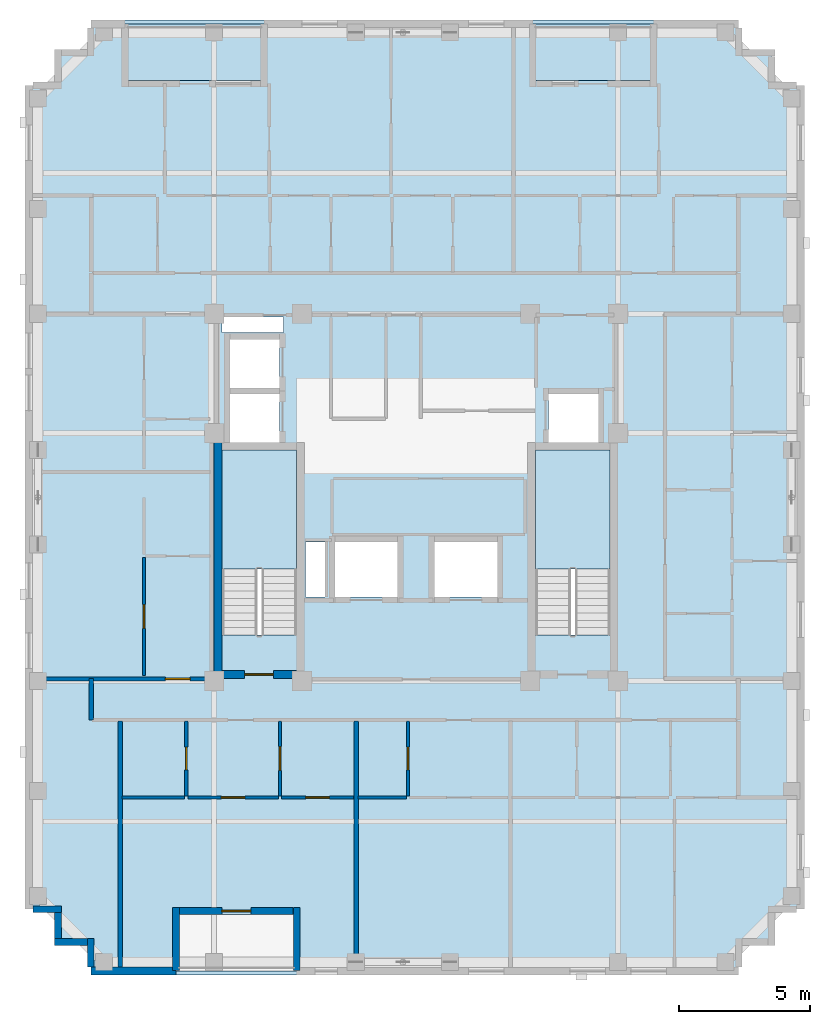
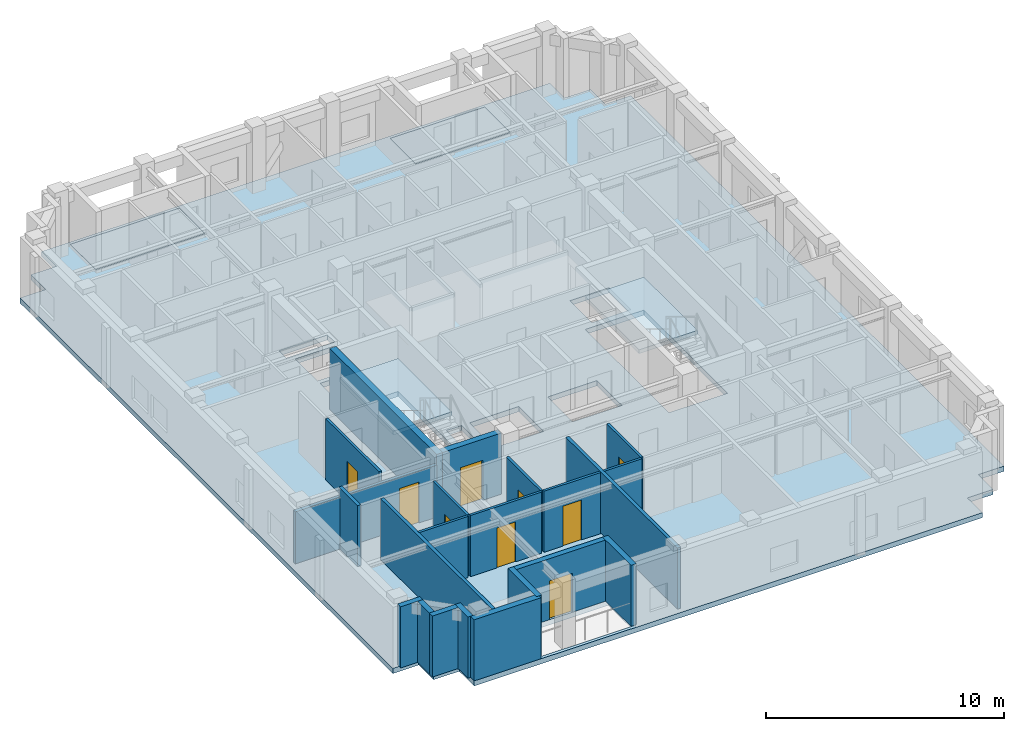
# One storey, part 2 of 11: 22 walls, 9 doors, 5 slabs, 9 openings, 2 elements without a shape of their own.
"""IFC4 building model written with IfcOpenShell, lengths in metres."""

from ifc_helpers import new_model, si_unit, derived_unit, direction, frame, frame_2d, origin, place, context, subcontext, project, spatial, polyline, rectangle, outline, extrude, material, layer, layer_set, type_object, element, fill, aggregate, save


model = new_model("IFC4")

# Units and contexts
model_context = context("Model", 3, precision=1e-05, world=origin(), true_north=direction((0.0, 1.0)))
body_context = subcontext(model_context, "Body", "Model", "MODEL_VIEW")
ifc_project = project(units=[si_unit("LENGTHUNIT", "METRE"), si_unit("AREAUNIT", "SQUARE_METRE"), si_unit("VOLUMEUNIT", "CUBIC_METRE"), si_unit("PLANEANGLEUNIT", "RADIAN"), si_unit("MASSUNIT", "GRAM", prefix="KILO"), derived_unit("THERMALTRANSMITTANCEUNIT", [(si_unit("MASSUNIT", "GRAM", prefix="KILO"), 1), (si_unit("TIMEUNIT", "SECOND"), -3), (si_unit("THERMODYNAMICTEMPERATUREUNIT", "KELVIN"), -1)])], contexts=[model_context])

# Site, building, storey
site_placement = place(None, origin())
site = spatial("IfcSite", under=ifc_project, at=site_placement, CompositionType="ELEMENT")
building_placement = place(site_placement, origin())
building = spatial("IfcBuilding", under=site, at=building_placement, Name="Korrvale Station Residences", CompositionType="ELEMENT")
storey_placement = place(building_placement, frame((0.0, 0.0, 247.89990234375)))
storey = spatial("IfcBuildingStorey", under=building, at=storey_placement, Name="L72", CompositionType="ELEMENT", Elevation=247.89990234375)

# Slabs
ifc_material_1 = material(Name="Concrete C50/60", Category="concrete")
ifc_layer_1 = layer(ifc_material_1, 0.219970703125, Name="Concrete C50/60")
ifc_layer_set_1 = layer_set([ifc_layer_1], Name="Concrete C50/60")
slab_type_1 = type_object("IfcSlabType", Name="SLB-BAL-220", PredefinedType="FLOOR", material=ifc_layer_set_1)
slab_1_placement = place(storey_placement, frame((0.0, 0.0, -0.219970703125)))
element("IfcSlab", 1, at=slab_1_placement, inside=storey, type_object=slab_type_1, Name="L72 Recessed Loggia Balcony Slab BAL-L72-N1", PredefinedType="FLOOR", context=body_context, shape_type="SweptSolid", body=[
    extrude(outline(polyline([(29.949951171875, 37.89990234375), (34.550048828125, 37.89990234375), (34.550048828125, 40.050048828125), (29.949951171875, 40.050048828125), (29.949951171875, 37.89990234375)])), origin(), (0.0, 0.0, 1.0), 0.219970703125),
])
slab_2_placement = place(storey_placement, frame((0.0, 0.0, -0.219970703125)))
element("IfcSlab", 2, at=slab_2_placement, inside=storey, type_object=slab_type_1, Name="L72 Recessed Loggia Balcony Slab BAL-L72-N2", PredefinedType="FLOOR", context=body_context, shape_type="SweptSolid", body=[
    extrude(outline(polyline([(14.39990234375, 37.89990234375), (19.699951171875, 37.89990234375), (19.699951171875, 40.050048828125), (14.39990234375, 40.050048828125), (14.39990234375, 37.89990234375)])), origin(), (0.0, 0.0, 1.0), 0.219970703125),
])
ifc_layer_2 = layer(ifc_material_1, 0.260009765625, Name="Concrete C50/60")
ifc_layer_set_2 = layer_set([ifc_layer_2], Name="Concrete C50/60")
slab_type_2 = type_object("IfcSlabType", Name="SLB-FLR-260", PredefinedType="FLOOR", material=ifc_layer_set_2)
slab_3_placement = place(storey_placement, frame((0.0, 0.0, -0.260009765625)))
element("IfcSlab", 3, at=slab_3_placement, inside=storey, type_object=slab_type_2, Name="L72 Suspended Structural Floor Slab", PredefinedType="FLOOR", context=body_context, shape_type="SweptSolid", body=[
    extrude(outline(polyline([(13.10009765625, 3.800048828125), (37.800048828125, 3.800048828125), (37.800048828125, 5.050048828125), (39.050048828125, 5.050048828125), (39.050048828125, 6.300048828125), (40.300048828125, 6.300048828125), (40.300048828125, 37.699951171875), (39.050048828125, 37.699951171875), (39.050048828125, 38.949951171875), (37.800048828125, 38.949951171875), (37.800048828125, 40.199951171875), (13.10009765625, 40.199951171875), (13.10009765625, 38.949951171875), (11.85009765625, 38.949951171875), (11.85009765625, 37.699951171875), (10.60009765625, 37.699951171875), (10.60009765625, 6.300048828125), (11.85009765625, 6.300048828125), (11.85009765625, 5.050048828125), (13.10009765625, 5.050048828125), (13.10009765625, 3.800048828125)]), holes=[polyline([(20.949951171875, 16.751953125), (20.949951171875, 23.800048828125), (18.10009765625, 23.800048828125), (18.10009765625, 16.751953125), (20.949951171875, 16.751953125)]), polyline([(32.89990234375, 16.751953125), (32.89990234375, 23.800048828125), (30.050048828125, 23.800048828125), (30.050048828125, 16.751953125), (32.89990234375, 16.751953125)]), polyline([(18.39990234375, 24.10009765625), (20.300048828125, 24.10009765625), (20.300048828125, 25.949951171875), (18.39990234375, 25.949951171875), (18.39990234375, 24.10009765625)]), polyline([(18.39990234375, 26.169921875), (20.300048828125, 26.169921875), (20.300048828125, 28.02001953125), (18.39990234375, 28.02001953125), (18.39990234375, 26.169921875)]), polyline([(30.550048828125, 24.10009765625), (32.449951171875, 24.10009765625), (32.449951171875, 25.949951171875), (30.550048828125, 25.949951171875), (30.550048828125, 24.10009765625)]), polyline([(22.39990234375, 18.199951171875), (24.800048828125, 18.199951171875), (24.800048828125, 20.300048828125), (22.39990234375, 20.300048828125), (22.39990234375, 18.199951171875)]), polyline([(26.199951171875, 18.199951171875), (28.60009765625, 18.199951171875), (28.60009765625, 20.300048828125), (26.199951171875, 20.300048828125), (26.199951171875, 18.199951171875)]), polyline([(18.10009765625, 28.280029296875), (20.449951171875, 28.280029296875), (20.449951171875, 28.8798828125), (18.10009765625, 28.8798828125), (18.10009765625, 28.280029296875)]), polyline([(21.280029296875, 18.199951171875), (22.02001953125, 18.199951171875), (22.02001953125, 20.300048828125), (21.280029296875, 20.300048828125), (21.280029296875, 18.199951171875)]), polyline([(16.35009765625, 3.949951171875), (20.949951171875, 3.949951171875), (20.949951171875, 6.10009765625), (16.35009765625, 6.10009765625), (16.35009765625, 3.949951171875)]), polyline([(29.949951171875, 37.89990234375), (34.550048828125, 37.89990234375), (34.550048828125, 40.050048828125), (29.949951171875, 40.050048828125), (29.949951171875, 37.89990234375)]), polyline([(14.39990234375, 37.89990234375), (19.699951171875, 37.89990234375), (19.699951171875, 40.050048828125), (14.39990234375, 40.050048828125), (14.39990234375, 37.89990234375)])]), origin(), (0.0, 0.0, 1.0), 0.260009765625),
])

# Stair, slab
stair_type = type_object("IfcStairType", Name="STR-DL-1350-20R-1700", PredefinedType="HALF_TURN_STAIR", material=ifc_material_1)
stair_1_placement = place(storey_placement, origin())
stair_1 = element("IfcStair", 4, at=stair_1_placement, inside=storey, type_object=stair_type, Name="L72 Exit Stair 1", PredefinedType="HALF_TURN_STAIR")
ifc_layer_3 = layer(ifc_material_1, 0.199951171875, Name="Concrete C50/60")
ifc_layer_set_3 = layer_set([ifc_layer_3], Name="Concrete C50/60")
slab_type_3 = type_object("IfcSlabType", Name="SLB-LND-200", PredefinedType="LANDING", material=ifc_layer_set_3)
slab_4_placement = place(storey_placement, frame((0.0, 0.0, 1.5)))
slab_4 = element("IfcSlab", 5, at=slab_4_placement, type_object=slab_type_3, Name="ST-1 landing 1", PredefinedType="LANDING", context=body_context, shape_type="SweptSolid", body=[
    extrude(outline(polyline([(20.949951171875, 19.27001953125), (20.949951171875, 23.800048828125), (18.10009765625, 23.800048828125), (18.10009765625, 19.27001953125), (20.949951171875, 19.27001953125)])), origin(), (0.0, 0.0, 1.0), 0.2001953125),
])
aggregate(stair_1, [slab_4])

stair_2_placement = place(storey_placement, origin())
stair_2 = element("IfcStair", 6, at=stair_2_placement, inside=storey, type_object=stair_type, Name="L72 Exit Stair 2", PredefinedType="HALF_TURN_STAIR")
slab_5_placement = place(storey_placement, frame((0.0, 0.0, 1.5)))
slab_5 = element("IfcSlab", 7, at=slab_5_placement, type_object=slab_type_3, Name="ST-2 landing 1", PredefinedType="LANDING", context=body_context, shape_type="SweptSolid", body=[
    extrude(outline(polyline([(32.89990234375, 19.27001953125), (32.89990234375, 23.800048828125), (30.050048828125, 23.800048828125), (30.050048828125, 19.27001953125), (32.89990234375, 19.27001953125)])), origin(), (0.0, 0.0, 1.0), 0.2001953125),
])
aggregate(stair_2, [slab_5])

# Wall
ifc_layer_4 = layer(ifc_material_1, 0.300048828125, Name="Concrete C50/60")
ifc_layer_set_4 = layer_set([ifc_layer_4], Name="Concrete C50/60")
wall_type_1 = type_object("IfcWallType", Name="WAL-CORE-300-C50", PredefinedType="SHEAR", material=ifc_layer_set_4)
wall_1_placement = place(storey_placement, frame((17.949951171875, 15.10009765625, 0.0), z_axis=(0.0, 0.0, 1.0), x_axis=(0.0, 1.0, 0.0)))
element("IfcWall", 8, at=wall_1_placement, inside=storey, type_object=wall_type_1, Name="L72 ST-1 Core Shear Wall West", PredefinedType="SHEAR", context=body_context, shape_type="SweptSolid", body=[
    extrude(rectangle(XDim=9.0, YDim=0.300048828125, at=frame_2d((4.5, 0.0))), origin(), (0.0, 0.0, 1.0), 3.14013671875),
])

# Wall, opening, door
wall_2_placement = place(storey_placement, frame((18.10009765625, 15.25, 0.0), z_axis=(0.0, 0.0, 1.0), x_axis=(1.0, 0.0, 0.0)))
wall_2 = element("IfcWall", 9, at=wall_2_placement, inside=storey, type_object=wall_type_1, Name="L72 ST-1 Core Shear Wall South", PredefinedType="SHEAR", context=body_context, shape_type="SweptSolid", body=[
    extrude(rectangle(XDim=2.849853515625, YDim=0.300048828125, at=frame_2d((1.4248046875, 0.0))), origin(), (0.0, 0.0, 1.0), 3.14013671875),
])
opening_1_placement = place(wall_2_placement, frame((0.860107421875, 0.0, 0.0)))
opening_1 = element("IfcOpeningElement", 10, at=opening_1_placement, cuts=wall_2, Name="Opening SD-1100", PredefinedType="OPENING", context=body_context, shape_type="SweptSolid", body=[
    extrude(rectangle(XDim=1.10009765625, YDim=2.050048828125, at=frame_2d((0.550048828125, 1.02490234375))), frame((0.0, 0.16015625, 0.0), z_axis=(0.0, -1.0, 0.0), x_axis=(1.0, 0.0, 0.0)), (0.0, 0.0, 1.0), 0.320068359375),
])
ifc_material_2 = material(Name="Hollow-metal fire-rated stair door with closer", Category="steel")
door_type_1 = type_object("IfcDoorType", Name="DR-STAIR-1100", OperationType="NOTDEFINED", PredefinedType="DOOR", material=ifc_material_2)
door_1_placement = place(opening_1_placement, origin())
door_1 = element("IfcDoor", 11, at=door_1_placement, inside=storey, type_object=door_type_1, Name="L72 ST-1 Exit Stair Door", OperationType="SINGLE_SWING_LEFT", OverallHeight=2.050048828125, OverallWidth=1.10009765625, PredefinedType="DOOR", context=body_context, shape_type="SweptSolid", body=[
    extrude(rectangle(XDim=1.10009765625, YDim=2.050048828125, at=frame_2d((0.550048828125, 1.02490234375))), frame((0.0, 0.02490234375, 0.0), z_axis=(0.0, -1.0, 0.0), x_axis=(1.0, 0.0, 0.0)), (0.0, 0.0, 1.0), 0.050048828125),
])
fill(opening_1, door_1)

# Wall
ifc_material_3 = material(Name="Precast concrete C45/55", Category="concrete")
ifc_layer_5 = layer(ifc_material_3, 0.260009765625, Name="Precast concrete C45/55")
ifc_layer_set_5 = layer_set([ifc_layer_5], Name="Precast concrete C45/55")
wall_type_2 = type_object("IfcWallType", Name="WAL-EXT-LOG260", PredefinedType="SOLIDWALL", material=ifc_layer_set_5)
wall_3_placement = place(storey_placement, frame((20.949951171875, 3.9599609375, 0.0), z_axis=(0.0, 0.0, 1.0), x_axis=(0.0, 1.0, 0.0)))
element("IfcWall", 12, at=wall_3_placement, inside=storey, type_object=wall_type_2, Name="L72 Recessed Loggia Wall BAL-L72-S1-L", PredefinedType="SOLIDWALL", context=body_context, shape_type="SweptSolid", body=[
    extrude(rectangle(XDim=2.400146484375, YDim=0.260009765625, at=frame_2d((1.2001953125, 0.0))), origin(), (0.0, 0.0, 1.0), 3.14013671875),
])

# Wall, opening, door
wall_4_placement = place(storey_placement, frame((20.81591796875, 6.22998046875, 0.0), z_axis=(0.0, 0.0, 1.0), x_axis=(-1.0, 0.0, 0.0)))
wall_4 = element("IfcWall", 13, at=wall_4_placement, inside=storey, type_object=wall_type_2, Name="L72 Recessed Loggia Wall BAL-L72-S1-B", PredefinedType="SOLIDWALL", context=body_context, shape_type="SweptSolid", body=[
    extrude(rectangle(XDim=4.33203125, YDim=0.260009765625, at=frame_2d((2.166015625, 0.0))), origin(), (0.0, 0.0, 1.0), 3.14013671875),
])
opening_2_placement = place(wall_4_placement, frame((1.615966796875, 0.0, 0.0)))
opening_2 = element("IfcOpeningElement", 14, at=opening_2_placement, cuts=wall_4, Name="Opening BD-01", PredefinedType="OPENING", context=body_context, shape_type="SweptSolid", body=[
    extrude(rectangle(XDim=1.10009765625, YDim=2.0, at=frame_2d((0.550048828125, 1.0))), frame((0.0, 0.14013671875, 0.0), z_axis=(0.0, -1.0, 0.0), x_axis=(1.0, 0.0, 0.0)), (0.0, 0.0, 1.0), 0.280029296875),
])
ifc_material_4 = material(Name="Exterior thermally broken aluminium glazed balcony door", Category="aluminium")
door_type_2 = type_object("IfcDoorType", Name="DR-EXT-BAL", OperationType="NOTDEFINED", PredefinedType="DOOR", material=ifc_material_4)
door_2_placement = place(opening_2_placement, origin())
door_2 = element("IfcDoor", 15, at=door_2_placement, inside=storey, type_object=door_type_2, Name="L72 Loggia Balcony Door BAL-L72-S1", OperationType="SINGLE_SWING_RIGHT", OverallHeight=2.0, OverallWidth=1.10009765625, PredefinedType="DOOR", context=body_context, shape_type="SweptSolid", body=[
    extrude(rectangle(XDim=1.10009765625, YDim=2.0, at=frame_2d((0.550048828125, 1.0))), frame((0.0, 0.02490234375, 0.0), z_axis=(0.0, -1.0, 0.0), x_axis=(1.0, 0.0, 0.0)), (0.0, 0.0, 1.0), 0.050048828125),
])
fill(opening_2, door_2)

# Walls
wall_5_placement = place(storey_placement, frame((16.35009765625, 6.360107421875, 0.0), z_axis=(0.0, 0.0, 1.0), x_axis=(0.0, -1.0, 0.0)))
element("IfcWall", 16, at=wall_5_placement, inside=storey, type_object=wall_type_2, Name="L72 Recessed Loggia Wall BAL-L72-S1-R", PredefinedType="SOLIDWALL", context=body_context, shape_type="SweptSolid", body=[
    extrude(rectangle(XDim=2.400146484375, YDim=0.260009765625, at=frame_2d((1.2001953125, 0.0))), origin(), (0.0, 0.0, 1.0), 3.14013671875),
])
wall_6_placement = place(storey_placement, frame((13.10009765625, 4.10205078125, 0.0), z_axis=(0.0, 0.0, 1.0), x_axis=(0.0, 1.0, 0.0)))
element("IfcWall", 17, at=wall_6_placement, inside=storey, type_object=wall_type_2, Name="L72 Serrated Corner Precast Step SW-1", PredefinedType="SOLIDWALL", context=body_context, shape_type="SweptSolid", body=[
    extrude(rectangle(XDim=1.077880859375, YDim=0.260009765625, at=frame_2d((0.5390625, 0.0))), origin(), (0.0, 0.0, 1.0), 3.14013671875),
])
wall_7_placement = place(storey_placement, frame((12.968017578125, 5.050048828125, 0.0), z_axis=(0.0, 0.0, 1.0), x_axis=(-1.0, 0.0, 0.0)))
element("IfcWall", 18, at=wall_7_placement, inside=storey, type_object=wall_type_2, Name="L72 Serrated Corner Precast Step SW-2", PredefinedType="SOLIDWALL", context=body_context, shape_type="SweptSolid", body=[
    extrude(rectangle(XDim=1.248046875, YDim=0.260009765625, at=frame_2d((0.6240234375, 0.0))), origin(), (0.0, 0.0, 1.0), 3.14013671875),
])
wall_8_placement = place(storey_placement, frame((11.85009765625, 5.181884765625, 0.0), z_axis=(0.0, 0.0, 1.0), x_axis=(0.0, 1.0, 0.0)))
element("IfcWall", 19, at=wall_8_placement, inside=storey, type_object=wall_type_2, Name="L72 Serrated Corner Precast Step SW-3", PredefinedType="SOLIDWALL", context=body_context, shape_type="SweptSolid", body=[
    extrude(rectangle(XDim=0.986083984375, YDim=0.260009765625, at=frame_2d((0.4931640625, 0.0))), origin(), (0.0, 0.0, 1.0), 3.14013671875),
])
wall_9_placement = place(storey_placement, frame((11.97998046875, 6.300048828125, 0.0), z_axis=(0.0, 0.0, 1.0), x_axis=(-1.0, 0.0, 0.0)))
element("IfcWall", 20, at=wall_9_placement, inside=storey, type_object=wall_type_2, Name="L72 Serrated Corner Precast Step SW-4", PredefinedType="SOLIDWALL", context=body_context, shape_type="SweptSolid", body=[
    extrude(rectangle(XDim=1.077880859375, YDim=0.260009765625, at=frame_2d((0.5390625, 0.0))), origin(), (0.0, 0.0, 1.0), 3.14013671875),
])
ifc_layer_6 = layer(ifc_material_3, 0.300048828125, Name="Precast concrete C45/55")
ifc_layer_set_6 = layer_set([ifc_layer_6], Name="Precast concrete C45/55")
wall_type_3 = type_object("IfcWallType", Name="WAL-EXT-PC300", PredefinedType="SOLIDWALL", material=ifc_layer_set_6)
wall_10_placement = place(storey_placement, frame((16.35009765625, 3.949951171875, 0.0), z_axis=(0.0, 0.0, 1.0), x_axis=(-1.0, 0.0, 0.0)))
element("IfcWall", 21, at=wall_10_placement, inside=storey, type_object=wall_type_3, Name="L72 South Exterior Precast Wall 2", PredefinedType="SOLIDWALL", context=body_context, shape_type="SweptSolid", body=[
    extrude(rectangle(XDim=3.25, YDim=0.300048828125, at=frame_2d((1.625, 0.0))), origin(), (0.0, 0.0, 1.0), 3.14013671875),
])

# Wall, opening, door
ifc_material_5 = material(Name="Acoustic steel-stud gypsum board partition", Category="steel")
ifc_layer_7 = layer(ifc_material_5, 0.1201171875, Name="Acoustic steel-stud gypsum board partition")
ifc_layer_set_7 = layer_set([ifc_layer_7], Name="Acoustic steel-stud gypsum board partition")
wall_type_4 = type_object("IfcWallType", Name="WAL-PART-125", PredefinedType="PARTITIONING", material=ifc_layer_set_7)
wall_11_placement = place(storey_placement, frame((16.739990234375, 10.6201171875, 0.0), z_axis=(0.0, 0.0, 1.0), x_axis=(0.0, 1.0, 0.0)))
wall_11 = element("IfcWall", 22, at=wall_11_placement, inside=storey, type_object=wall_type_4, Name="L72 Suite Partition U01-V01", PredefinedType="PARTITIONING", context=body_context, shape_type="SweptSolid", body=[
    extrude(rectangle(XDim=2.849853515625, YDim=0.1201171875, at=frame_2d((1.4248046875, 0.0))), origin(), (0.0, 0.0, 1.0), 3.14013671875),
])
opening_3_placement = place(wall_11_placement, frame((0.9951171875, 0.0, 0.0)))
opening_3 = element("IfcOpeningElement", 23, at=opening_3_placement, cuts=wall_11, Name="Opening DB-860", PredefinedType="OPENING", context=body_context, shape_type="SweptSolid", body=[
    extrude(rectangle(XDim=0.860107421875, YDim=2.050048828125, at=frame_2d((0.43017578125, 1.02490234375))), frame((0.0, 0.070068359375, 0.0), z_axis=(0.0, -1.0, 0.0), x_axis=(1.0, 0.0, 0.0)), (0.0, 0.0, 1.0), 0.14013671875),
])
ifc_material_6 = material(Name="Moisture-resistant solid-core bathroom door", Category="timber")
door_type_3 = type_object("IfcDoorType", Name="DR-BATH-860", OperationType="NOTDEFINED", PredefinedType="DOOR", material=ifc_material_6)
door_3_placement = place(opening_3_placement, origin())
door_3 = element("IfcDoor", 24, at=door_3_placement, inside=storey, type_object=door_type_3, Name="L72 Studio Apartment L72-U01 Bathroom Door", OperationType="SINGLE_SWING_LEFT", OverallHeight=2.050048828125, OverallWidth=0.860107421875, PredefinedType="DOOR", context=body_context, shape_type="SweptSolid", body=[
    extrude(rectangle(XDim=0.860107421875, YDim=2.050048828125, at=frame_2d((0.43017578125, 1.02490234375))), frame((0.0, 0.02490234375, 0.0), z_axis=(0.0, -1.0, 0.0), x_axis=(1.0, 0.0, 0.0)), (0.0, 0.0, 1.0), 0.050048828125),
])
fill(opening_3, door_3)

# Wall
wall_12_placement = place(storey_placement, frame((14.280029296875, 10.56005859375, 0.0), z_axis=(0.0, 0.0, 1.0), x_axis=(1.0, 0.0, 0.0)))
element("IfcWall", 25, at=wall_12_placement, inside=storey, type_object=wall_type_4, Name="L72 Suite Partition U01-H03", PredefinedType="PARTITIONING", context=body_context, shape_type="SweptSolid", body=[
    extrude(rectangle(XDim=2.39990234375, YDim=0.1201171875, at=frame_2d((1.199951171875, 0.0))), origin(), (0.0, 0.0, 1.0), 3.14013671875),
])

# Wall, opening, door
wall_13_placement = place(storey_placement, frame((20.31005859375, 10.6201171875, 0.0), z_axis=(0.0, 0.0, 1.0), x_axis=(0.0, 1.0, 0.0)))
wall_13 = element("IfcWall", 26, at=wall_13_placement, inside=storey, type_object=wall_type_4, Name="L72 Suite Partition U01-V12", PredefinedType="PARTITIONING", context=body_context, shape_type="SweptSolid", body=[
    extrude(rectangle(XDim=2.849853515625, YDim=0.1201171875, at=frame_2d((1.4248046875, 0.0))), origin(), (0.0, 0.0, 1.0), 3.14013671875),
])
opening_4_placement = place(wall_13_placement, frame((0.97509765625, 0.0, 0.0)))
opening_4 = element("IfcOpeningElement", 27, at=opening_4_placement, cuts=wall_13, Name="Opening DI-900", PredefinedType="OPENING", context=body_context, shape_type="SweptSolid", body=[
    extrude(rectangle(XDim=0.89990234375, YDim=2.050048828125, at=frame_2d((0.449951171875, 1.02490234375))), frame((0.0, 0.070068359375, 0.0), z_axis=(0.0, -1.0, 0.0), x_axis=(1.0, 0.0, 0.0)), (0.0, 0.0, 1.0), 0.14013671875),
])
ifc_material_7 = material(Name="Painted solid-core timber interior room door", Category="wood")
door_type_4 = type_object("IfcDoorType", Name="DR-INT-900", OperationType="NOTDEFINED", PredefinedType="DOOR", material=ifc_material_7)
door_4_placement = place(opening_4_placement, origin())
door_4 = element("IfcDoor", 28, at=door_4_placement, inside=storey, type_object=door_type_4, Name="L72 Studio Apartment L72-U01 Kitchen Door", OperationType="SINGLE_SWING_RIGHT", OverallHeight=2.050048828125, OverallWidth=0.89990234375, PredefinedType="DOOR", context=body_context, shape_type="SweptSolid", body=[
    extrude(rectangle(XDim=0.89990234375, YDim=2.050048828125, at=frame_2d((0.449951171875, 1.02490234375))), frame((0.0, 0.02490234375, 0.0), z_axis=(0.0, -1.0, 0.0), x_axis=(1.0, 0.0, 0.0)), (0.0, 0.0, 1.0), 0.050048828125),
])
fill(opening_4, door_4)

wall_14_placement = place(storey_placement, frame((16.800048828125, 10.56005859375, 0.0), z_axis=(0.0, 0.0, 1.0), x_axis=(1.0, 0.0, 0.0)))
wall_14 = element("IfcWall", 29, at=wall_14_placement, inside=storey, type_object=wall_type_4, Name="L72 Suite Partition U01-H13", PredefinedType="PARTITIONING", context=body_context, shape_type="SweptSolid", body=[
    extrude(rectangle(XDim=3.449951171875, YDim=0.1201171875, at=frame_2d((1.72509765625, 0.0))), origin(), (0.0, 0.0, 1.0), 3.14013671875),
])
opening_5_placement = place(wall_14_placement, frame((1.27490234375, 0.0, 0.0)))
opening_5 = element("IfcOpeningElement", 30, at=opening_5_placement, cuts=wall_14, Name="Opening DI-900", PredefinedType="OPENING", context=body_context, shape_type="SweptSolid", body=[
    extrude(rectangle(XDim=0.89990234375, YDim=2.050048828125, at=frame_2d((0.449951171875, 1.02490234375))), frame((0.0, 0.070068359375, 0.0), z_axis=(0.0, -1.0, 0.0), x_axis=(1.0, 0.0, 0.0)), (0.0, 0.0, 1.0), 0.14013671875),
])
door_5_placement = place(opening_5_placement, origin())
door_5 = element("IfcDoor", 31, at=door_5_placement, inside=storey, type_object=door_type_4, Name="L72 Studio Apartment L72-U01 Kitchen Door", OperationType="SINGLE_SWING_LEFT", OverallHeight=2.050048828125, OverallWidth=0.89990234375, PredefinedType="DOOR", context=body_context, shape_type="SweptSolid", body=[
    extrude(rectangle(XDim=0.89990234375, YDim=2.050048828125, at=frame_2d((0.449951171875, 1.02490234375))), frame((0.0, 0.02490234375, 0.0), z_axis=(0.0, -1.0, 0.0), x_axis=(1.0, 0.0, 0.0)), (0.0, 0.0, 1.0), 0.050048828125),
])
fill(opening_5, door_5)

wall_15_placement = place(storey_placement, frame((20.3701171875, 10.56005859375, 0.0), z_axis=(0.0, 0.0, 1.0), x_axis=(1.0, 0.0, 0.0)))
wall_15 = element("IfcWall", 32, at=wall_15_placement, inside=storey, type_object=wall_type_4, Name="L72 Suite Partition U01-H23", PredefinedType="PARTITIONING", context=body_context, shape_type="SweptSolid", body=[
    extrude(rectangle(XDim=2.75, YDim=0.1201171875, at=frame_2d((1.375, 0.0))), origin(), (0.0, 0.0, 1.0), 3.14013671875),
])
opening_6_placement = place(wall_15_placement, frame((0.925048828125, 0.0, 0.0)))
opening_6 = element("IfcOpeningElement", 33, at=opening_6_placement, cuts=wall_15, Name="Opening DI-900", PredefinedType="OPENING", context=body_context, shape_type="SweptSolid", body=[
    extrude(rectangle(XDim=0.89990234375, YDim=2.050048828125, at=frame_2d((0.449951171875, 1.02490234375))), frame((0.0, 0.070068359375, 0.0), z_axis=(0.0, -1.0, 0.0), x_axis=(1.0, 0.0, 0.0)), (0.0, 0.0, 1.0), 0.14013671875),
])
door_6_placement = place(opening_6_placement, origin())
door_6 = element("IfcDoor", 34, at=door_6_placement, inside=storey, type_object=door_type_4, Name="L72 Studio Apartment L72-U01 Utility and Laundry Room Door", OperationType="SINGLE_SWING_RIGHT", OverallHeight=2.050048828125, OverallWidth=0.89990234375, PredefinedType="DOOR", context=body_context, shape_type="SweptSolid", body=[
    extrude(rectangle(XDim=0.89990234375, YDim=2.050048828125, at=frame_2d((0.449951171875, 1.02490234375))), frame((0.0, 0.02490234375, 0.0), z_axis=(0.0, -1.0, 0.0), x_axis=(1.0, 0.0, 0.0)), (0.0, 0.0, 1.0), 0.050048828125),
])
fill(opening_6, door_6)

wall_16_placement = place(storey_placement, frame((25.18994140625, 10.6201171875, 0.0), z_axis=(0.0, 0.0, 1.0), x_axis=(0.0, 1.0, 0.0)))
wall_16 = element("IfcWall", 35, at=wall_16_placement, inside=storey, type_object=wall_type_4, Name="L72 Suite Partition U02-V01", PredefinedType="PARTITIONING", context=body_context, shape_type="SweptSolid", body=[
    extrude(rectangle(XDim=2.849853515625, YDim=0.1201171875, at=frame_2d((1.4248046875, 0.0))), origin(), (0.0, 0.0, 1.0), 3.14013671875),
])
opening_7_placement = place(wall_16_placement, frame((0.9951171875, 0.0, 0.0)))
opening_7 = element("IfcOpeningElement", 36, at=opening_7_placement, cuts=wall_16, Name="Opening DB-860", PredefinedType="OPENING", context=body_context, shape_type="SweptSolid", body=[
    extrude(rectangle(XDim=0.860107421875, YDim=2.050048828125, at=frame_2d((0.43017578125, 1.02490234375))), frame((0.0, 0.070068359375, 0.0), z_axis=(0.0, -1.0, 0.0), x_axis=(1.0, 0.0, 0.0)), (0.0, 0.0, 1.0), 0.14013671875),
])
door_7_placement = place(opening_7_placement, origin())
door_7 = element("IfcDoor", 37, at=door_7_placement, inside=storey, type_object=door_type_3, Name="L72 Studio Apartment L72-U02 Bathroom Door", OperationType="SINGLE_SWING_LEFT", OverallHeight=2.050048828125, OverallWidth=0.860107421875, PredefinedType="DOOR", context=body_context, shape_type="SweptSolid", body=[
    extrude(rectangle(XDim=0.860107421875, YDim=2.050048828125, at=frame_2d((0.43017578125, 1.02490234375))), frame((0.0, 0.02490234375, 0.0), z_axis=(0.0, -1.0, 0.0), x_axis=(1.0, 0.0, 0.0)), (0.0, 0.0, 1.0), 0.050048828125),
])
fill(opening_7, door_7)

# Wall
wall_17_placement = place(storey_placement, frame((23.280029296875, 10.56005859375, 0.0), z_axis=(0.0, 0.0, 1.0), x_axis=(1.0, 0.0, 0.0)))
element("IfcWall", 38, at=wall_17_placement, inside=storey, type_object=wall_type_4, Name="L72 Suite Partition U02-H02", PredefinedType="PARTITIONING", context=body_context, shape_type="SweptSolid", body=[
    extrude(rectangle(XDim=1.849853515625, YDim=0.1201171875, at=frame_2d((0.9248046875, 0.0))), origin(), (0.0, 0.0, 1.0), 3.14013671875),
])

# Wall, opening, door
wall_18_placement = place(storey_placement, frame((15.1298828125, 15.2099609375, 0.0), z_axis=(0.0, 0.0, 1.0), x_axis=(0.0, 1.0, 0.0)))
wall_18 = element("IfcWall", 39, at=wall_18_placement, inside=storey, type_object=wall_type_4, Name="L72 Suite Partition U06-V12", PredefinedType="PARTITIONING", context=body_context, shape_type="SweptSolid", body=[
    extrude(rectangle(XDim=4.5, YDim=0.1201171875, at=frame_2d((2.25, 0.0))), origin(), (0.0, 0.0, 1.0), 3.14013671875),
])
opening_8_placement = place(wall_18_placement, frame((1.800048828125, 0.0, 0.0)))
opening_8 = element("IfcOpeningElement", 40, at=opening_8_placement, cuts=wall_18, Name="Opening DI-900", PredefinedType="OPENING", context=body_context, shape_type="SweptSolid", body=[
    extrude(rectangle(XDim=0.89990234375, YDim=2.050048828125, at=frame_2d((0.449951171875, 1.02490234375))), frame((0.0, 0.070068359375, 0.0), z_axis=(0.0, -1.0, 0.0), x_axis=(1.0, 0.0, 0.0)), (0.0, 0.0, 1.0), 0.14013671875),
])
door_8_placement = place(opening_8_placement, origin())
door_8 = element("IfcDoor", 41, at=door_8_placement, inside=storey, type_object=door_type_4, Name="L72 Studio Apartment L72-U06 Kitchen Door", OperationType="SINGLE_SWING_RIGHT", OverallHeight=2.050048828125, OverallWidth=0.89990234375, PredefinedType="DOOR", context=body_context, shape_type="SweptSolid", body=[
    extrude(rectangle(XDim=0.89990234375, YDim=2.050048828125, at=frame_2d((0.449951171875, 1.02490234375))), frame((0.0, 0.02490234375, 0.0), z_axis=(0.0, -1.0, 0.0), x_axis=(1.0, 0.0, 0.0)), (0.0, 0.0, 1.0), 0.050048828125),
])
fill(opening_8, door_8)

# Walls
ifc_material_8 = material(Name="Fire-rated twin-stud gypsum and mineral wool shaftwall assembly", Category="gypsum")
ifc_layer_8 = layer(ifc_material_8, 0.159912109375, Name="Fire-rated twin-stud gypsum and mineral wool shaftwall assembly")
ifc_layer_set_8 = layer_set([ifc_layer_8], Name="Fire-rated twin-stud gypsum and mineral wool shaftwall assembly")
wall_type_5 = type_object("IfcWallType", Name="WAL-PART-200", PredefinedType="PARTITIONING", material=ifc_layer_set_8)
wall_19_placement = place(storey_placement, frame((13.1201171875, 13.510009765625, 0.0), z_axis=(0.0, 0.0, 1.0), x_axis=(0.0, 1.0, 0.0)))
element("IfcWall", 42, at=wall_19_placement, inside=storey, type_object=wall_type_5, Name="L72 Corridor South West Cap", PredefinedType="PARTITIONING", context=body_context, shape_type="SweptSolid", body=[
    extrude(rectangle(XDim=1.580078125, YDim=0.159912109375, at=frame_2d((0.7900390625, 0.0))), origin(), (0.0, 0.0, 1.0), 3.14013671875),
])
for number, where, z_axis, x_axis, name in (
    (43, (14.219970703125, 4.080078125, 0.0), (0.0, 0.0, 1.0), (0.0, 1.0, 0.0), "L72 Demising Wall U01-W"),
    (44, (23.219970703125, 4.080078125, 0.0), (0.0, 0.0, 1.0), (0.0, 1.0, 0.0), "L72 Demising Wall U02-W"),
):
    element("IfcWall", number, at=place(storey_placement, frame(where, z_axis=z_axis, x_axis=x_axis)), inside=storey, type_object=wall_type_5, Name=name, PredefinedType="PARTITIONING", context=body_context, shape_type="SweptSolid", body=[
        extrude(rectangle(XDim=9.389892578125, YDim=0.159912109375, at=frame_2d((4.69482421875, 0.0))), origin(), (0.0, 0.0, 1.0), 3.14013671875),
    ])

# Wall, opening, door
wall_20_placement = place(storey_placement, frame((10.8798828125, 15.080078125, 0.0), z_axis=(0.0, 0.0, 1.0), x_axis=(1.0, 0.0, 0.0)))
wall_20 = element("IfcWall", 45, at=wall_20_placement, inside=storey, type_object=wall_type_5, Name="L72 Side Suite South Entry Wall U06", PredefinedType="PARTITIONING", context=body_context, shape_type="SweptSolid", body=[
    extrude(rectangle(XDim=6.880126953125, YDim=0.159912109375, at=frame_2d((3.43994140625, 0.0))), origin(), (0.0, 0.0, 1.0), 2.668212890625),
])
opening_9_placement = place(wall_20_placement, frame((5.06005859375, 0.0, 0.0)))
opening_9 = element("IfcOpeningElement", 46, at=opening_9_placement, cuts=wall_20, Name="Opening UD-950", PredefinedType="OPENING", context=body_context, shape_type="SweptSolid", body=[
    extrude(rectangle(XDim=0.949951171875, YDim=2.10009765625, at=frame_2d((0.47509765625, 1.050048828125))), frame((0.0, 0.08984375, 0.0), z_axis=(0.0, -1.0, 0.0), x_axis=(1.0, 0.0, 0.0)), (0.0, 0.0, 1.0), 0.179931640625),
])
ifc_material_9 = material(Name="Solid-core acoustic oak apartment entrance door", Category="timber")
door_type_5 = type_object("IfcDoorType", Name="DR-UNIT-950", OperationType="NOTDEFINED", PredefinedType="DOOR", material=ifc_material_9)
door_9_placement = place(opening_9_placement, origin())
door_9 = element("IfcDoor", 47, at=door_9_placement, inside=storey, type_object=door_type_5, Name="L72 Apartment L72-U06 Entrance Door", OperationType="SINGLE_SWING_RIGHT", OverallHeight=2.10009765625, OverallWidth=0.949951171875, PredefinedType="DOOR", context=body_context, shape_type="SweptSolid", body=[
    extrude(rectangle(XDim=0.949951171875, YDim=2.10009765625, at=frame_2d((0.47509765625, 1.050048828125))), frame((0.0, 0.02490234375, 0.0), z_axis=(0.0, -1.0, 0.0), x_axis=(1.0, 0.0, 0.0)), (0.0, 0.0, 1.0), 0.050048828125),
])
fill(opening_9, door_9)

save(model, "model.ifc")
